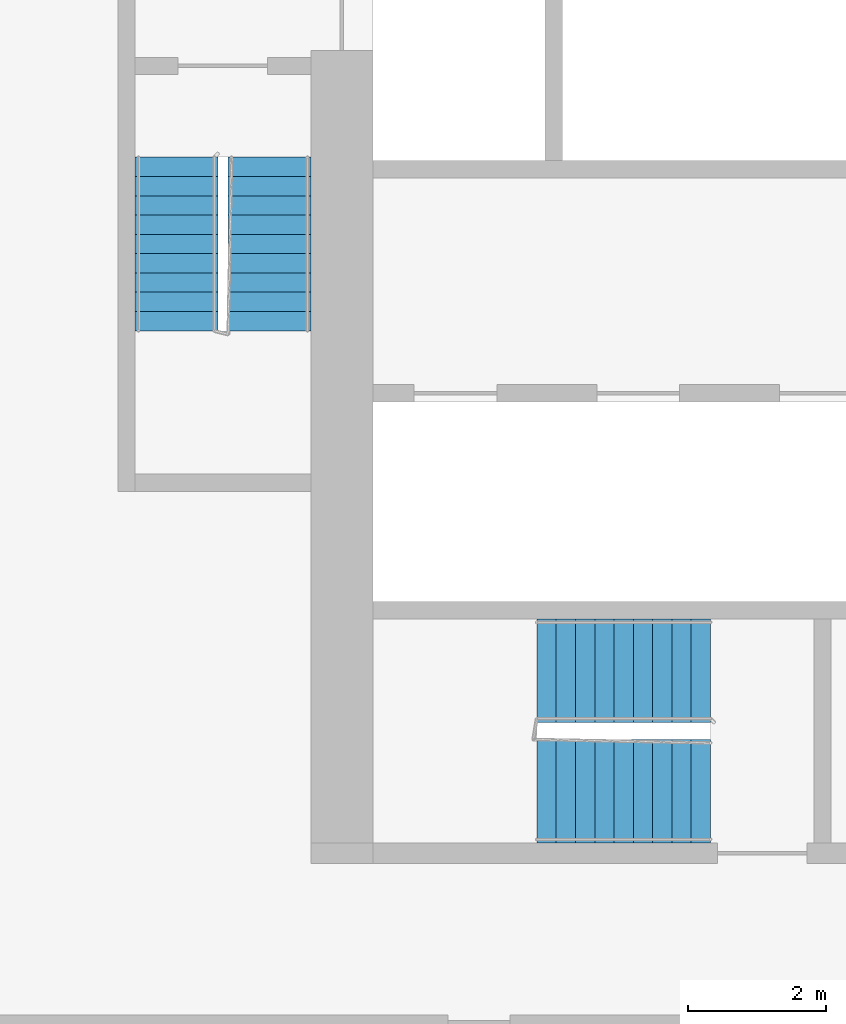
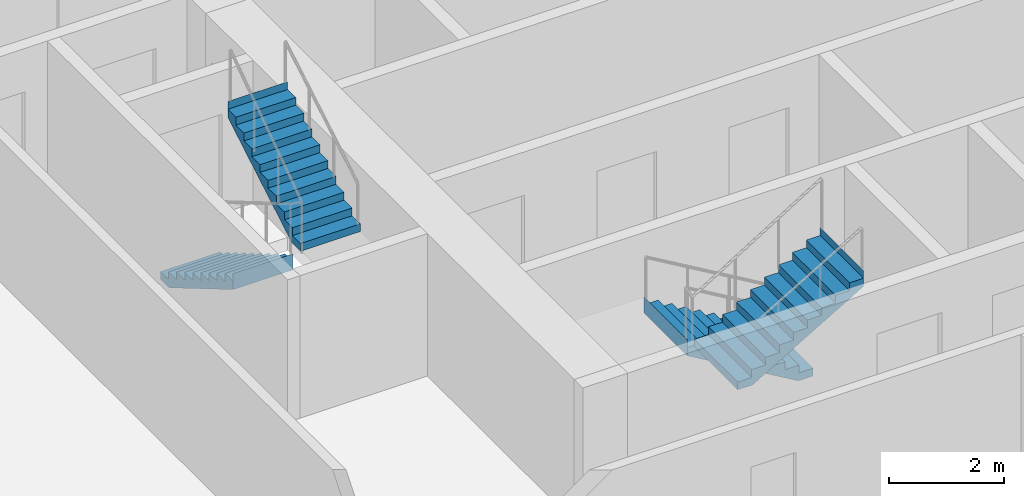
# One storey, part 9 of 13: 4 stair flights, 2 elements without a shape of their own.
"""IFC4 building model written with IfcOpenShell, lengths in metres."""

from ifc_helpers import new_model, si_unit, direction, frame, origin, place, context, subcontext, project, spatial, faceted_brep, material, type_object, element, aggregate, save


model = new_model("IFC4")

# Units and contexts
model_context = context("Model", 3, precision=1e-05, world=origin(), true_north=direction((0.0, 1.0)))
body_context = subcontext(model_context, "Body", "Model", "MODEL_VIEW")
ifc_project = project(units=[si_unit("LENGTHUNIT", "METRE"), si_unit("AREAUNIT", "SQUARE_METRE"), si_unit("VOLUMEUNIT", "CUBIC_METRE"), si_unit("PLANEANGLEUNIT", "RADIAN"), si_unit("MASSUNIT", "GRAM", prefix="KILO")], contexts=[model_context])

# Site, building, storey
site_placement = place(None, origin())
site = spatial("IfcSite", under=ifc_project, at=site_placement, CompositionType="ELEMENT")
building_placement = place(site_placement, origin())
building = spatial("IfcBuilding", under=site, at=building_placement, Name="Kajstack Hotel Tower", CompositionType="ELEMENT")
storey_placement = place(building_placement, frame((0.0, 0.0, 79.800048828125)))
storey = spatial("IfcBuildingStorey", under=building, at=storey_placement, Name="L15", CompositionType="ELEMENT", Elevation=79.800048828125)

# Stair, stair flights
ifc_material = material(Name="Concrete C40/50", Category="concrete")
stair_type_1 = type_object("IfcStairType", Name="Exit stair 1200", PredefinedType="HALF_TURN_STAIR", material=ifc_material)
stair_1_placement = place(storey_placement, origin())
stair_1 = element("IfcStair", 1, at=stair_1_placement, inside=storey, type_object=stair_type_1, Name="L15 stair W1", PredefinedType="HALF_TURN_STAIR")
stair_flight_type_1 = type_object("IfcStairFlightType", Name="Exit stair flight 1200", PredefinedType="STRAIGHT", material=ifc_material)
stair_flight_1_placement = place(storey_placement, frame((-33.449951171875, -5.25, 0.0), z_axis=(0.0, 0.0, 1.0), x_axis=(0.0, -1.0, 0.0)))
stair_flight_1 = element("IfcStairFlight", 2, at=stair_flight_1_placement, type_object=stair_flight_type_1, Name="W1 flight 1", NumberOfRisers=10, NumberOfTreads=9, PredefinedType="STRAIGHT", RiserHeight=0.165, TreadLength=0.28, context=body_context, shape_type="Brep", body=[
    faceted_brep([(0.295654296875, -0.60009765625, 0.0), (2.5205078125, -0.60009765625, 1.31103515625), (2.5205078125, -0.60009765625, 1.64990234375), (2.52001953125, -0.60009765625, 1.64990234375), (2.52001953125, -0.60009765625, 1.485107421875), (2.239990234375, -0.60009765625, 1.485107421875), (2.239990234375, -0.60009765625, 1.320068359375), (1.9599609375, -0.60009765625, 1.320068359375), (1.9599609375, -0.60009765625, 1.155029296875), (1.679931640625, -0.60009765625, 1.155029296875), (1.679931640625, -0.60009765625, 0.989990234375), (1.39990234375, -0.60009765625, 0.989990234375), (1.39990234375, -0.60009765625, 0.824951171875), (1.1201171875, -0.60009765625, 0.824951171875), (1.1201171875, -0.60009765625, 0.659912109375), (0.840087890625, -0.60009765625, 0.659912109375), (0.840087890625, -0.60009765625, 0.4951171875), (0.56005859375, -0.60009765625, 0.4951171875), (0.56005859375, -0.60009765625, 0.330078125), (0.280029296875, -0.60009765625, 0.330078125), (0.280029296875, -0.60009765625, 0.1650390625), (-0.00048828125, -0.60009765625, 0.1650390625), (-0.00048828125, -0.60009765625, 0.0), (-0.00048828125, 0.60009765625, 0.0), (-0.00048828125, 0.60009765625, 0.1650390625), (0.280029296875, 0.60009765625, 0.1650390625), (0.280029296875, 0.60009765625, 0.330078125), (0.56005859375, 0.60009765625, 0.330078125), (0.56005859375, 0.60009765625, 0.4951171875), (0.840087890625, 0.60009765625, 0.4951171875), (0.840087890625, 0.60009765625, 0.659912109375), (1.1201171875, 0.60009765625, 0.659912109375), (1.1201171875, 0.60009765625, 0.824951171875), (1.39990234375, 0.60009765625, 0.824951171875), (1.39990234375, 0.60009765625, 0.989990234375), (1.679931640625, 0.60009765625, 0.989990234375), (1.679931640625, 0.60009765625, 1.155029296875), (1.9599609375, 0.60009765625, 1.155029296875), (1.9599609375, 0.60009765625, 1.320068359375), (2.239990234375, 0.60009765625, 1.320068359375), (2.239990234375, 0.60009765625, 1.485107421875), (2.52001953125, 0.60009765625, 1.485107421875), (2.52001953125, 0.60009765625, 1.64990234375), (2.5205078125, 0.60009765625, 1.64990234375), (2.5205078125, 0.60009765625, 1.31103515625), (0.295654296875, 0.60009765625, 0.0), (-0.00048828125, -0.300048828125, 0.1650390625), (-0.00048828125, 0.0, 0.1650390625), (-0.00048828125, 0.300048828125, 0.1650390625), (-0.00048828125, 0.300048828125, 0.0), (-0.00048828125, 0.0, 0.0), (-0.00048828125, -0.300048828125, 0.0), (0.280029296875, -0.300048828125, 0.1650390625), (0.280029296875, 0.0, 0.1650390625), (0.280029296875, 0.300048828125, 0.1650390625), (0.280029296875, -0.300048828125, 0.330078125), (0.280029296875, 0.0, 0.330078125), (0.280029296875, 0.300048828125, 0.330078125), (0.56005859375, -0.300048828125, 0.330078125), (0.56005859375, 0.0, 0.330078125), (0.56005859375, 0.300048828125, 0.330078125), (0.56005859375, -0.300048828125, 0.4951171875), (0.56005859375, 0.0, 0.4951171875), (0.56005859375, 0.300048828125, 0.4951171875), (0.840087890625, -0.300048828125, 0.4951171875), (0.840087890625, 0.0, 0.4951171875), (0.840087890625, 0.300048828125, 0.4951171875), (0.840087890625, -0.300048828125, 0.659912109375), (0.840087890625, 0.0, 0.659912109375), (0.840087890625, 0.300048828125, 0.659912109375), (1.1201171875, -0.300048828125, 0.659912109375), (1.1201171875, 0.0, 0.659912109375), (1.1201171875, 0.300048828125, 0.659912109375), (1.1201171875, -0.300048828125, 0.824951171875), (1.1201171875, 0.0, 0.824951171875), (1.1201171875, 0.300048828125, 0.824951171875), (1.39990234375, -0.300048828125, 0.824951171875), (1.39990234375, 0.0, 0.824951171875), (1.39990234375, 0.300048828125, 0.824951171875), (1.39990234375, -0.300048828125, 0.989990234375), (1.39990234375, 0.0, 0.989990234375), (1.39990234375, 0.300048828125, 0.989990234375), (1.679931640625, -0.300048828125, 0.989990234375), (1.679931640625, 0.0, 0.989990234375), (1.679931640625, 0.300048828125, 0.989990234375), (1.679931640625, -0.300048828125, 1.155029296875), (1.679931640625, 0.0, 1.155029296875), (1.679931640625, 0.300048828125, 1.155029296875), (1.9599609375, -0.300048828125, 1.155029296875), (1.9599609375, 0.0, 1.155029296875), (1.9599609375, 0.300048828125, 1.155029296875), (1.9599609375, -0.300048828125, 1.320068359375), (1.9599609375, 0.0, 1.320068359375), (1.9599609375, 0.300048828125, 1.320068359375), (2.239990234375, -0.300048828125, 1.320068359375), (2.239990234375, 0.0, 1.320068359375), (2.239990234375, 0.300048828125, 1.320068359375), (2.239990234375, -0.300048828125, 1.485107421875), (2.239990234375, 0.0, 1.485107421875), (2.239990234375, 0.300048828125, 1.485107421875), (2.52001953125, -0.300048828125, 1.485107421875), (2.52001953125, 0.0, 1.485107421875), (2.52001953125, 0.300048828125, 1.485107421875), (2.52001953125, -0.300048828125, 1.64990234375), (2.52001953125, 0.0, 1.64990234375), (2.52001953125, 0.300048828125, 1.64990234375), (2.5205078125, -0.300048828125, 1.64990234375), (2.5205078125, 0.0, 1.64990234375), (2.5205078125, 0.300048828125, 1.64990234375), (2.5205078125, -0.300048828125, 1.31103515625), (2.5205078125, 0.0, 1.31103515625), (2.5205078125, 0.300048828125, 1.31103515625), (0.295654296875, -0.300048828125, 0.0), (0.295654296875, 0.0, 0.0), (0.295654296875, 0.300048828125, 0.0)], [[[0, 1, 2, 3, 4, 5, 6, 7, 8, 9, 10, 11, 12, 13, 14, 15, 16, 17, 18, 19, 20, 21, 22]], [[23, 24, 25, 26, 27, 28, 29, 30, 31, 32, 33, 34, 35, 36, 37, 38, 39, 40, 41, 42, 43, 44, 45]], [[21, 46, 47, 48, 24, 23, 49, 50, 51, 22]], [[20, 52, 53, 54, 25, 24, 48, 47, 46, 21]], [[19, 55, 56, 57, 26, 25, 54, 53, 52, 20]], [[18, 58, 59, 60, 27, 26, 57, 56, 55, 19]], [[17, 61, 62, 63, 28, 27, 60, 59, 58, 18]], [[16, 64, 65, 66, 29, 28, 63, 62, 61, 17]], [[15, 67, 68, 69, 30, 29, 66, 65, 64, 16]], [[14, 70, 71, 72, 31, 30, 69, 68, 67, 15]], [[13, 73, 74, 75, 32, 31, 72, 71, 70, 14]], [[12, 76, 77, 78, 33, 32, 75, 74, 73, 13]], [[11, 79, 80, 81, 34, 33, 78, 77, 76, 12]], [[10, 82, 83, 84, 35, 34, 81, 80, 79, 11]], [[9, 85, 86, 87, 36, 35, 84, 83, 82, 10]], [[8, 88, 89, 90, 37, 36, 87, 86, 85, 9]], [[7, 91, 92, 93, 38, 37, 90, 89, 88, 8]], [[6, 94, 95, 96, 39, 38, 93, 92, 91, 7]], [[5, 97, 98, 99, 40, 39, 96, 95, 94, 6]], [[4, 100, 101, 102, 41, 40, 99, 98, 97, 5]], [[3, 103, 104, 105, 42, 41, 102, 101, 100, 4]], [[2, 106, 107, 108, 43, 42, 105, 104, 103, 3]], [[1, 109, 110, 111, 44, 43, 108, 107, 106, 2]], [[0, 112, 113, 114, 45, 44, 111, 110, 109, 1]], [[22, 51, 50, 49, 23, 45, 114, 113, 112, 0]]]),
])
stair_flight_2_placement = place(storey_placement, frame((-32.10009765625, -7.77001953125, 1.64990234375), z_axis=(0.0, 0.0, 1.0), x_axis=(0.0, 1.0, 0.0)))
stair_flight_2 = element("IfcStairFlight", 3, at=stair_flight_2_placement, type_object=stair_flight_type_1, Name="W1 flight 2", NumberOfRisers=10, NumberOfTreads=9, PredefinedType="STRAIGHT", RiserHeight=0.165, TreadLength=0.28, context=body_context, shape_type="Brep", body=[
    faceted_brep([(0.295654296875, -0.60009765625, 0.0), (2.5205078125, -0.60009765625, 1.31103515625), (2.5205078125, -0.60009765625, 1.64990234375), (2.52001953125, -0.60009765625, 1.64990234375), (2.52001953125, -0.60009765625, 1.485107421875), (2.239990234375, -0.60009765625, 1.485107421875), (2.239990234375, -0.60009765625, 1.320068359375), (1.9599609375, -0.60009765625, 1.320068359375), (1.9599609375, -0.60009765625, 1.155029296875), (1.679931640625, -0.60009765625, 1.155029296875), (1.679931640625, -0.60009765625, 0.989990234375), (1.39990234375, -0.60009765625, 0.989990234375), (1.39990234375, -0.60009765625, 0.824951171875), (1.1201171875, -0.60009765625, 0.824951171875), (1.1201171875, -0.60009765625, 0.659912109375), (0.840087890625, -0.60009765625, 0.659912109375), (0.840087890625, -0.60009765625, 0.4951171875), (0.56005859375, -0.60009765625, 0.4951171875), (0.56005859375, -0.60009765625, 0.330078125), (0.280029296875, -0.60009765625, 0.330078125), (0.280029296875, -0.60009765625, 0.1650390625), (-0.00048828125, -0.60009765625, 0.1650390625), (-0.00048828125, -0.60009765625, 0.0), (-0.00048828125, 0.60009765625, 0.0), (-0.00048828125, 0.60009765625, 0.1650390625), (0.280029296875, 0.60009765625, 0.1650390625), (0.280029296875, 0.60009765625, 0.330078125), (0.56005859375, 0.60009765625, 0.330078125), (0.56005859375, 0.60009765625, 0.4951171875), (0.840087890625, 0.60009765625, 0.4951171875), (0.840087890625, 0.60009765625, 0.659912109375), (1.1201171875, 0.60009765625, 0.659912109375), (1.1201171875, 0.60009765625, 0.824951171875), (1.39990234375, 0.60009765625, 0.824951171875), (1.39990234375, 0.60009765625, 0.989990234375), (1.679931640625, 0.60009765625, 0.989990234375), (1.679931640625, 0.60009765625, 1.155029296875), (1.9599609375, 0.60009765625, 1.155029296875), (1.9599609375, 0.60009765625, 1.320068359375), (2.239990234375, 0.60009765625, 1.320068359375), (2.239990234375, 0.60009765625, 1.485107421875), (2.52001953125, 0.60009765625, 1.485107421875), (2.52001953125, 0.60009765625, 1.64990234375), (2.5205078125, 0.60009765625, 1.64990234375), (2.5205078125, 0.60009765625, 1.31103515625), (0.295654296875, 0.60009765625, 0.0), (-0.00048828125, -0.300048828125, 0.1650390625), (-0.00048828125, 0.0, 0.1650390625), (-0.00048828125, 0.300048828125, 0.1650390625), (-0.00048828125, 0.300048828125, 0.0), (-0.00048828125, 0.0, 0.0), (-0.00048828125, -0.300048828125, 0.0), (0.280029296875, -0.300048828125, 0.1650390625), (0.280029296875, 0.0, 0.1650390625), (0.280029296875, 0.300048828125, 0.1650390625), (0.280029296875, -0.300048828125, 0.330078125), (0.280029296875, 0.0, 0.330078125), (0.280029296875, 0.300048828125, 0.330078125), (0.56005859375, -0.300048828125, 0.330078125), (0.56005859375, 0.0, 0.330078125), (0.56005859375, 0.300048828125, 0.330078125), (0.56005859375, -0.300048828125, 0.4951171875), (0.56005859375, 0.0, 0.4951171875), (0.56005859375, 0.300048828125, 0.4951171875), (0.840087890625, -0.300048828125, 0.4951171875), (0.840087890625, 0.0, 0.4951171875), (0.840087890625, 0.300048828125, 0.4951171875), (0.840087890625, -0.300048828125, 0.659912109375), (0.840087890625, 0.0, 0.659912109375), (0.840087890625, 0.300048828125, 0.659912109375), (1.1201171875, -0.300048828125, 0.659912109375), (1.1201171875, 0.0, 0.659912109375), (1.1201171875, 0.300048828125, 0.659912109375), (1.1201171875, -0.300048828125, 0.824951171875), (1.1201171875, 0.0, 0.824951171875), (1.1201171875, 0.300048828125, 0.824951171875), (1.39990234375, -0.300048828125, 0.824951171875), (1.39990234375, 0.0, 0.824951171875), (1.39990234375, 0.300048828125, 0.824951171875), (1.39990234375, -0.300048828125, 0.989990234375), (1.39990234375, 0.0, 0.989990234375), (1.39990234375, 0.300048828125, 0.989990234375), (1.679931640625, -0.300048828125, 0.989990234375), (1.679931640625, 0.0, 0.989990234375), (1.679931640625, 0.300048828125, 0.989990234375), (1.679931640625, -0.300048828125, 1.155029296875), (1.679931640625, 0.0, 1.155029296875), (1.679931640625, 0.300048828125, 1.155029296875), (1.9599609375, -0.300048828125, 1.155029296875), (1.9599609375, 0.0, 1.155029296875), (1.9599609375, 0.300048828125, 1.155029296875), (1.9599609375, -0.300048828125, 1.320068359375), (1.9599609375, 0.0, 1.320068359375), (1.9599609375, 0.300048828125, 1.320068359375), (2.239990234375, -0.300048828125, 1.320068359375), (2.239990234375, 0.0, 1.320068359375), (2.239990234375, 0.300048828125, 1.320068359375), (2.239990234375, -0.300048828125, 1.485107421875), (2.239990234375, 0.0, 1.485107421875), (2.239990234375, 0.300048828125, 1.485107421875), (2.52001953125, -0.300048828125, 1.485107421875), (2.52001953125, 0.0, 1.485107421875), (2.52001953125, 0.300048828125, 1.485107421875), (2.52001953125, -0.300048828125, 1.64990234375), (2.52001953125, 0.0, 1.64990234375), (2.52001953125, 0.300048828125, 1.64990234375), (2.5205078125, -0.300048828125, 1.64990234375), (2.5205078125, 0.0, 1.64990234375), (2.5205078125, 0.300048828125, 1.64990234375), (2.5205078125, -0.300048828125, 1.31103515625), (2.5205078125, 0.0, 1.31103515625), (2.5205078125, 0.300048828125, 1.31103515625), (0.295654296875, -0.300048828125, 0.0), (0.295654296875, 0.0, 0.0), (0.295654296875, 0.300048828125, 0.0)], [[[0, 1, 2, 3, 4, 5, 6, 7, 8, 9, 10, 11, 12, 13, 14, 15, 16, 17, 18, 19, 20, 21, 22]], [[23, 24, 25, 26, 27, 28, 29, 30, 31, 32, 33, 34, 35, 36, 37, 38, 39, 40, 41, 42, 43, 44, 45]], [[21, 46, 47, 48, 24, 23, 49, 50, 51, 22]], [[20, 52, 53, 54, 25, 24, 48, 47, 46, 21]], [[19, 55, 56, 57, 26, 25, 54, 53, 52, 20]], [[18, 58, 59, 60, 27, 26, 57, 56, 55, 19]], [[17, 61, 62, 63, 28, 27, 60, 59, 58, 18]], [[16, 64, 65, 66, 29, 28, 63, 62, 61, 17]], [[15, 67, 68, 69, 30, 29, 66, 65, 64, 16]], [[14, 70, 71, 72, 31, 30, 69, 68, 67, 15]], [[13, 73, 74, 75, 32, 31, 72, 71, 70, 14]], [[12, 76, 77, 78, 33, 32, 75, 74, 73, 13]], [[11, 79, 80, 81, 34, 33, 78, 77, 76, 12]], [[10, 82, 83, 84, 35, 34, 81, 80, 79, 11]], [[9, 85, 86, 87, 36, 35, 84, 83, 82, 10]], [[8, 88, 89, 90, 37, 36, 87, 86, 85, 9]], [[7, 91, 92, 93, 38, 37, 90, 89, 88, 8]], [[6, 94, 95, 96, 39, 38, 93, 92, 91, 7]], [[5, 97, 98, 99, 40, 39, 96, 95, 94, 6]], [[4, 100, 101, 102, 41, 40, 99, 98, 97, 5]], [[3, 103, 104, 105, 42, 41, 102, 101, 100, 4]], [[2, 106, 107, 108, 43, 42, 105, 104, 103, 3]], [[1, 109, 110, 111, 44, 43, 108, 107, 106, 2]], [[0, 112, 113, 114, 45, 44, 111, 110, 109, 1]], [[22, 51, 50, 49, 23, 45, 114, 113, 112, 0]]]),
])
aggregate(stair_1, [stair_flight_1, stair_flight_2])

stair_type_2 = type_object("IfcStairType", Name="Exit stair 1500", PredefinedType="HALF_TURN_STAIR", material=ifc_material)
stair_2_placement = place(storey_placement, origin())
stair_2 = element("IfcStair", 4, at=stair_2_placement, inside=storey, type_object=stair_type_2, Name="L15 stair W3", PredefinedType="HALF_TURN_STAIR")
stair_flight_type_2 = type_object("IfcStairFlightType", Name="Exit stair flight 1500", PredefinedType="STRAIGHT", material=ifc_material)
stair_flight_3_placement = place(storey_placement, frame((-25.699951171875, -12.699951171875, 0.0), z_axis=(0.0, 0.0, 1.0), x_axis=(-1.0, 0.0, 0.0)))
stair_flight_3 = element("IfcStairFlight", 5, at=stair_flight_3_placement, type_object=stair_flight_type_2, Name="W3 flight 1", NumberOfRisers=10, NumberOfTreads=9, PredefinedType="STRAIGHT", RiserHeight=0.165, TreadLength=0.28, context=body_context, shape_type="Brep", body=[
    faceted_brep([(0.295654296875, -0.75, 0.0), (2.5205078125, -0.75, 1.31103515625), (2.5205078125, -0.75, 1.64990234375), (2.52001953125, -0.75, 1.64990234375), (2.52001953125, -0.75, 1.485107421875), (2.239990234375, -0.75, 1.485107421875), (2.239990234375, -0.75, 1.320068359375), (1.9599609375, -0.75, 1.320068359375), (1.9599609375, -0.75, 1.155029296875), (1.679931640625, -0.75, 1.155029296875), (1.679931640625, -0.75, 0.989990234375), (1.39990234375, -0.75, 0.989990234375), (1.39990234375, -0.75, 0.824951171875), (1.1201171875, -0.75, 0.824951171875), (1.1201171875, -0.75, 0.659912109375), (0.840087890625, -0.75, 0.659912109375), (0.840087890625, -0.75, 0.4951171875), (0.56005859375, -0.75, 0.4951171875), (0.56005859375, -0.75, 0.330078125), (0.280029296875, -0.75, 0.330078125), (0.280029296875, -0.75, 0.1650390625), (-0.00048828125, -0.75, 0.1650390625), (-0.00048828125, -0.75, 0.0), (-0.00048828125, 0.75, 0.0), (-0.00048828125, 0.75, 0.1650390625), (0.280029296875, 0.75, 0.1650390625), (0.280029296875, 0.75, 0.330078125), (0.56005859375, 0.75, 0.330078125), (0.56005859375, 0.75, 0.4951171875), (0.840087890625, 0.75, 0.4951171875), (0.840087890625, 0.75, 0.659912109375), (1.1201171875, 0.75, 0.659912109375), (1.1201171875, 0.75, 0.824951171875), (1.39990234375, 0.75, 0.824951171875), (1.39990234375, 0.75, 0.989990234375), (1.679931640625, 0.75, 0.989990234375), (1.679931640625, 0.75, 1.155029296875), (1.9599609375, 0.75, 1.155029296875), (1.9599609375, 0.75, 1.320068359375), (2.239990234375, 0.75, 1.320068359375), (2.239990234375, 0.75, 1.485107421875), (2.52001953125, 0.75, 1.485107421875), (2.52001953125, 0.75, 1.64990234375), (2.5205078125, 0.75, 1.64990234375), (2.5205078125, 0.75, 1.31103515625), (0.295654296875, 0.75, 0.0), (-0.00048828125, -0.375, 0.1650390625), (-0.00048828125, 0.0, 0.1650390625), (-0.00048828125, 0.375, 0.1650390625), (-0.00048828125, 0.375, 0.0), (-0.00048828125, 0.0, 0.0), (-0.00048828125, -0.375, 0.0), (0.280029296875, -0.375, 0.1650390625), (0.280029296875, 0.0, 0.1650390625), (0.280029296875, 0.375, 0.1650390625), (0.280029296875, -0.375, 0.330078125), (0.280029296875, 0.0, 0.330078125), (0.280029296875, 0.375, 0.330078125), (0.56005859375, -0.375, 0.330078125), (0.56005859375, 0.0, 0.330078125), (0.56005859375, 0.375, 0.330078125), (0.56005859375, -0.375, 0.4951171875), (0.56005859375, 0.0, 0.4951171875), (0.56005859375, 0.375, 0.4951171875), (0.840087890625, -0.375, 0.4951171875), (0.840087890625, 0.0, 0.4951171875), (0.840087890625, 0.375, 0.4951171875), (0.840087890625, -0.375, 0.659912109375), (0.840087890625, 0.0, 0.659912109375), (0.840087890625, 0.375, 0.659912109375), (1.1201171875, -0.375, 0.659912109375), (1.1201171875, 0.0, 0.659912109375), (1.1201171875, 0.375, 0.659912109375), (1.1201171875, -0.375, 0.824951171875), (1.1201171875, 0.0, 0.824951171875), (1.1201171875, 0.375, 0.824951171875), (1.39990234375, -0.375, 0.824951171875), (1.39990234375, 0.0, 0.824951171875), (1.39990234375, 0.375, 0.824951171875), (1.39990234375, -0.375, 0.989990234375), (1.39990234375, 0.0, 0.989990234375), (1.39990234375, 0.375, 0.989990234375), (1.679931640625, -0.375, 0.989990234375), (1.679931640625, 0.0, 0.989990234375), (1.679931640625, 0.375, 0.989990234375), (1.679931640625, -0.375, 1.155029296875), (1.679931640625, 0.0, 1.155029296875), (1.679931640625, 0.375, 1.155029296875), (1.9599609375, -0.375, 1.155029296875), (1.9599609375, 0.0, 1.155029296875), (1.9599609375, 0.375, 1.155029296875), (1.9599609375, -0.375, 1.320068359375), (1.9599609375, 0.0, 1.320068359375), (1.9599609375, 0.375, 1.320068359375), (2.239990234375, -0.375, 1.320068359375), (2.239990234375, 0.0, 1.320068359375), (2.239990234375, 0.375, 1.320068359375), (2.239990234375, -0.375, 1.485107421875), (2.239990234375, 0.0, 1.485107421875), (2.239990234375, 0.375, 1.485107421875), (2.52001953125, -0.375, 1.485107421875), (2.52001953125, 0.0, 1.485107421875), (2.52001953125, 0.375, 1.485107421875), (2.52001953125, -0.375, 1.64990234375), (2.52001953125, 0.0, 1.64990234375), (2.52001953125, 0.375, 1.64990234375), (2.5205078125, -0.375, 1.64990234375), (2.5205078125, 0.0, 1.64990234375), (2.5205078125, 0.375, 1.64990234375), (2.5205078125, -0.375, 1.31103515625), (2.5205078125, 0.0, 1.31103515625), (2.5205078125, 0.375, 1.31103515625), (0.295654296875, -0.375, 0.0), (0.295654296875, 0.0, 0.0), (0.295654296875, 0.375, 0.0)], [[[0, 1, 2, 3, 4, 5, 6, 7, 8, 9, 10, 11, 12, 13, 14, 15, 16, 17, 18, 19, 20, 21, 22]], [[23, 24, 25, 26, 27, 28, 29, 30, 31, 32, 33, 34, 35, 36, 37, 38, 39, 40, 41, 42, 43, 44, 45]], [[21, 46, 47, 48, 24, 23, 49, 50, 51, 22]], [[20, 52, 53, 54, 25, 24, 48, 47, 46, 21]], [[19, 55, 56, 57, 26, 25, 54, 53, 52, 20]], [[18, 58, 59, 60, 27, 26, 57, 56, 55, 19]], [[17, 61, 62, 63, 28, 27, 60, 59, 58, 18]], [[16, 64, 65, 66, 29, 28, 63, 62, 61, 17]], [[15, 67, 68, 69, 30, 29, 66, 65, 64, 16]], [[14, 70, 71, 72, 31, 30, 69, 68, 67, 15]], [[13, 73, 74, 75, 32, 31, 72, 71, 70, 14]], [[12, 76, 77, 78, 33, 32, 75, 74, 73, 13]], [[11, 79, 80, 81, 34, 33, 78, 77, 76, 12]], [[10, 82, 83, 84, 35, 34, 81, 80, 79, 11]], [[9, 85, 86, 87, 36, 35, 84, 83, 82, 10]], [[8, 88, 89, 90, 37, 36, 87, 86, 85, 9]], [[7, 91, 92, 93, 38, 37, 90, 89, 88, 8]], [[6, 94, 95, 96, 39, 38, 93, 92, 91, 7]], [[5, 97, 98, 99, 40, 39, 96, 95, 94, 6]], [[4, 100, 101, 102, 41, 40, 99, 98, 97, 5]], [[3, 103, 104, 105, 42, 41, 102, 101, 100, 4]], [[2, 106, 107, 108, 43, 42, 105, 104, 103, 3]], [[1, 109, 110, 111, 44, 43, 108, 107, 106, 2]], [[0, 112, 113, 114, 45, 44, 111, 110, 109, 1]], [[22, 51, 50, 49, 23, 45, 114, 113, 112, 0]]]),
])
stair_flight_4_placement = place(storey_placement, frame((-28.219970703125, -14.449951171875, 1.64990234375), z_axis=(0.0, 0.0, 1.0), x_axis=(1.0, 0.0, 0.0)))
stair_flight_4 = element("IfcStairFlight", 6, at=stair_flight_4_placement, type_object=stair_flight_type_2, Name="W3 flight 2", NumberOfRisers=10, NumberOfTreads=9, PredefinedType="STRAIGHT", RiserHeight=0.165, TreadLength=0.28, context=body_context, shape_type="Brep", body=[
    faceted_brep([(0.295654296875, -0.75, 0.0), (2.5205078125, -0.75, 1.31103515625), (2.5205078125, -0.75, 1.64990234375), (2.52001953125, -0.75, 1.64990234375), (2.52001953125, -0.75, 1.485107421875), (2.239990234375, -0.75, 1.485107421875), (2.239990234375, -0.75, 1.320068359375), (1.9599609375, -0.75, 1.320068359375), (1.9599609375, -0.75, 1.155029296875), (1.679931640625, -0.75, 1.155029296875), (1.679931640625, -0.75, 0.989990234375), (1.39990234375, -0.75, 0.989990234375), (1.39990234375, -0.75, 0.824951171875), (1.1201171875, -0.75, 0.824951171875), (1.1201171875, -0.75, 0.659912109375), (0.840087890625, -0.75, 0.659912109375), (0.840087890625, -0.75, 0.4951171875), (0.56005859375, -0.75, 0.4951171875), (0.56005859375, -0.75, 0.330078125), (0.280029296875, -0.75, 0.330078125), (0.280029296875, -0.75, 0.1650390625), (-0.00048828125, -0.75, 0.1650390625), (-0.00048828125, -0.75, 0.0), (-0.00048828125, 0.75, 0.0), (-0.00048828125, 0.75, 0.1650390625), (0.280029296875, 0.75, 0.1650390625), (0.280029296875, 0.75, 0.330078125), (0.56005859375, 0.75, 0.330078125), (0.56005859375, 0.75, 0.4951171875), (0.840087890625, 0.75, 0.4951171875), (0.840087890625, 0.75, 0.659912109375), (1.1201171875, 0.75, 0.659912109375), (1.1201171875, 0.75, 0.824951171875), (1.39990234375, 0.75, 0.824951171875), (1.39990234375, 0.75, 0.989990234375), (1.679931640625, 0.75, 0.989990234375), (1.679931640625, 0.75, 1.155029296875), (1.9599609375, 0.75, 1.155029296875), (1.9599609375, 0.75, 1.320068359375), (2.239990234375, 0.75, 1.320068359375), (2.239990234375, 0.75, 1.485107421875), (2.52001953125, 0.75, 1.485107421875), (2.52001953125, 0.75, 1.64990234375), (2.5205078125, 0.75, 1.64990234375), (2.5205078125, 0.75, 1.31103515625), (0.295654296875, 0.75, 0.0), (-0.00048828125, -0.375, 0.1650390625), (-0.00048828125, 0.0, 0.1650390625), (-0.00048828125, 0.375, 0.1650390625), (-0.00048828125, 0.375, 0.0), (-0.00048828125, 0.0, 0.0), (-0.00048828125, -0.375, 0.0), (0.280029296875, -0.375, 0.1650390625), (0.280029296875, 0.0, 0.1650390625), (0.280029296875, 0.375, 0.1650390625), (0.280029296875, -0.375, 0.330078125), (0.280029296875, 0.0, 0.330078125), (0.280029296875, 0.375, 0.330078125), (0.56005859375, -0.375, 0.330078125), (0.56005859375, 0.0, 0.330078125), (0.56005859375, 0.375, 0.330078125), (0.56005859375, -0.375, 0.4951171875), (0.56005859375, 0.0, 0.4951171875), (0.56005859375, 0.375, 0.4951171875), (0.840087890625, -0.375, 0.4951171875), (0.840087890625, 0.0, 0.4951171875), (0.840087890625, 0.375, 0.4951171875), (0.840087890625, -0.375, 0.659912109375), (0.840087890625, 0.0, 0.659912109375), (0.840087890625, 0.375, 0.659912109375), (1.1201171875, -0.375, 0.659912109375), (1.1201171875, 0.0, 0.659912109375), (1.1201171875, 0.375, 0.659912109375), (1.1201171875, -0.375, 0.824951171875), (1.1201171875, 0.0, 0.824951171875), (1.1201171875, 0.375, 0.824951171875), (1.39990234375, -0.375, 0.824951171875), (1.39990234375, 0.0, 0.824951171875), (1.39990234375, 0.375, 0.824951171875), (1.39990234375, -0.375, 0.989990234375), (1.39990234375, 0.0, 0.989990234375), (1.39990234375, 0.375, 0.989990234375), (1.679931640625, -0.375, 0.989990234375), (1.679931640625, 0.0, 0.989990234375), (1.679931640625, 0.375, 0.989990234375), (1.679931640625, -0.375, 1.155029296875), (1.679931640625, 0.0, 1.155029296875), (1.679931640625, 0.375, 1.155029296875), (1.9599609375, -0.375, 1.155029296875), (1.9599609375, 0.0, 1.155029296875), (1.9599609375, 0.375, 1.155029296875), (1.9599609375, -0.375, 1.320068359375), (1.9599609375, 0.0, 1.320068359375), (1.9599609375, 0.375, 1.320068359375), (2.239990234375, -0.375, 1.320068359375), (2.239990234375, 0.0, 1.320068359375), (2.239990234375, 0.375, 1.320068359375), (2.239990234375, -0.375, 1.485107421875), (2.239990234375, 0.0, 1.485107421875), (2.239990234375, 0.375, 1.485107421875), (2.52001953125, -0.375, 1.485107421875), (2.52001953125, 0.0, 1.485107421875), (2.52001953125, 0.375, 1.485107421875), (2.52001953125, -0.375, 1.64990234375), (2.52001953125, 0.0, 1.64990234375), (2.52001953125, 0.375, 1.64990234375), (2.5205078125, -0.375, 1.64990234375), (2.5205078125, 0.0, 1.64990234375), (2.5205078125, 0.375, 1.64990234375), (2.5205078125, -0.375, 1.31103515625), (2.5205078125, 0.0, 1.31103515625), (2.5205078125, 0.375, 1.31103515625), (0.295654296875, -0.375, 0.0), (0.295654296875, 0.0, 0.0), (0.295654296875, 0.375, 0.0)], [[[0, 1, 2, 3, 4, 5, 6, 7, 8, 9, 10, 11, 12, 13, 14, 15, 16, 17, 18, 19, 20, 21, 22]], [[23, 24, 25, 26, 27, 28, 29, 30, 31, 32, 33, 34, 35, 36, 37, 38, 39, 40, 41, 42, 43, 44, 45]], [[21, 46, 47, 48, 24, 23, 49, 50, 51, 22]], [[20, 52, 53, 54, 25, 24, 48, 47, 46, 21]], [[19, 55, 56, 57, 26, 25, 54, 53, 52, 20]], [[18, 58, 59, 60, 27, 26, 57, 56, 55, 19]], [[17, 61, 62, 63, 28, 27, 60, 59, 58, 18]], [[16, 64, 65, 66, 29, 28, 63, 62, 61, 17]], [[15, 67, 68, 69, 30, 29, 66, 65, 64, 16]], [[14, 70, 71, 72, 31, 30, 69, 68, 67, 15]], [[13, 73, 74, 75, 32, 31, 72, 71, 70, 14]], [[12, 76, 77, 78, 33, 32, 75, 74, 73, 13]], [[11, 79, 80, 81, 34, 33, 78, 77, 76, 12]], [[10, 82, 83, 84, 35, 34, 81, 80, 79, 11]], [[9, 85, 86, 87, 36, 35, 84, 83, 82, 10]], [[8, 88, 89, 90, 37, 36, 87, 86, 85, 9]], [[7, 91, 92, 93, 38, 37, 90, 89, 88, 8]], [[6, 94, 95, 96, 39, 38, 93, 92, 91, 7]], [[5, 97, 98, 99, 40, 39, 96, 95, 94, 6]], [[4, 100, 101, 102, 41, 40, 99, 98, 97, 5]], [[3, 103, 104, 105, 42, 41, 102, 101, 100, 4]], [[2, 106, 107, 108, 43, 42, 105, 104, 103, 3]], [[1, 109, 110, 111, 44, 43, 108, 107, 106, 2]], [[0, 112, 113, 114, 45, 44, 111, 110, 109, 1]], [[22, 51, 50, 49, 23, 45, 114, 113, 112, 0]]]),
])
aggregate(stair_2, [stair_flight_3, stair_flight_4])

save(model, "model.ifc")
